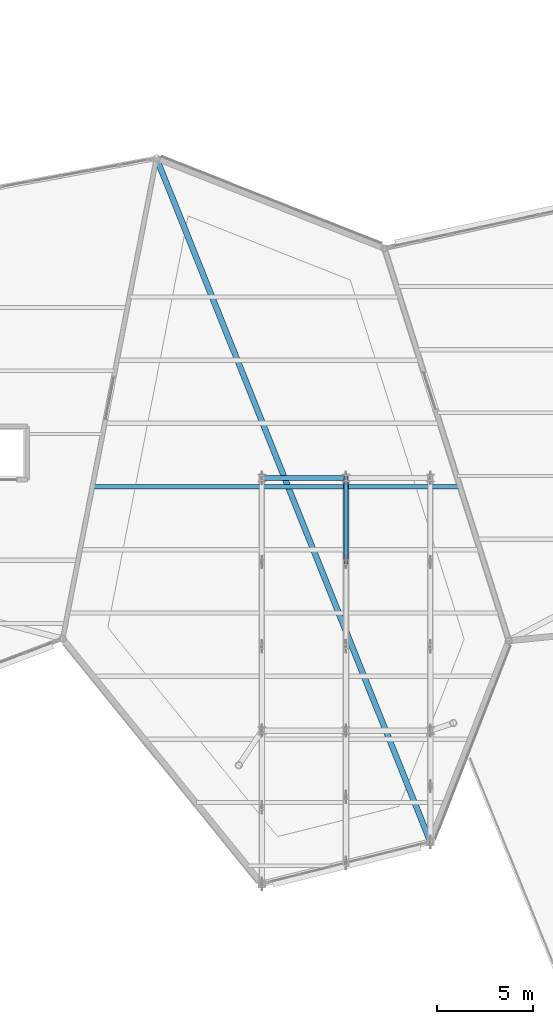
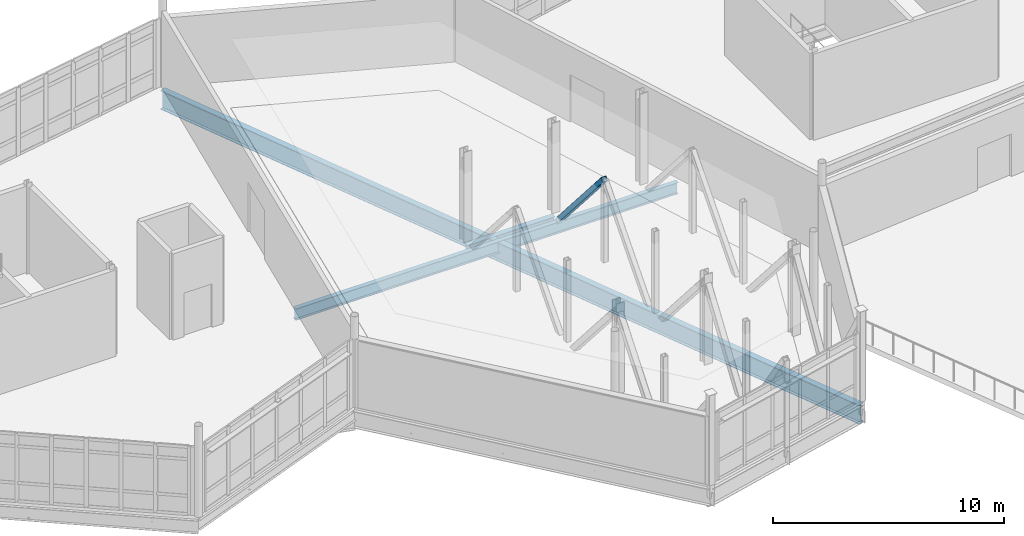
# One storey, part 57 of 114: 3 beams, 1 member.
"""IFC4 building model written with IfcOpenShell, lengths in metres."""

from ifc_helpers import new_model, si_unit, direction, frame, origin, origin_2d, place, context, subcontext, project, spatial, hollow_rectangle, i_section, extrude, material, material_profile, profile_set, type_object, element, save


model = new_model("IFC4")

# Units and contexts
model_context = context("Model", 3, precision=1e-05, world=origin(), true_north=direction((0.0, 1.0)))
body_context = subcontext(model_context, "Body", "Model", "MODEL_VIEW")
ifc_project = project(units=[si_unit("LENGTHUNIT", "METRE"), si_unit("AREAUNIT", "SQUARE_METRE"), si_unit("VOLUMEUNIT", "CUBIC_METRE"), si_unit("PLANEANGLEUNIT", "RADIAN"), si_unit("MASSUNIT", "GRAM", prefix="KILO")], contexts=[model_context])

# Site, building, storey
site_placement = place(None, origin())
site = spatial("IfcSite", under=ifc_project, at=site_placement, CompositionType="ELEMENT")
building_placement = place(site_placement, origin())
building = spatial("IfcBuilding", under=site, at=building_placement, Name="Tameran Prism Museum", CompositionType="ELEMENT")
storey_placement = place(building_placement, frame((0.0, 0.0, 10.199951171875)))
storey = spatial("IfcBuildingStorey", under=building, at=storey_placement, Name="L02", CompositionType="ELEMENT", Elevation=10.199951171875)

# Beams
ifc_material_1 = material(Name="Steel Grade 300PLUS (300 MPa)", Category="steel")
ifc_material_profile_1 = material_profile(ifc_material_1, i_section(OverallWidth=0.22802734375, OverallDepth=0.60693359375, WebThickness=0.01123046875, FlangeThickness=0.017333984375, FilletRadius=0.013916015625, at=origin_2d()))
ifc_profile_set_1 = profile_set([ifc_material_profile_1])
beam_type_1 = type_object("IfcBeamType", Name="BM-UB610B", PredefinedType="BEAM", material=ifc_profile_set_1)
beam_1_placement = place(storey_placement, frame((122.29296875, 30.25, -0.5234375), z_axis=(1.0, 0.0, 0.0), x_axis=(0.0, 1.0, 0.0)))
element("IfcBeam", 1, at=beam_1_placement, inside=storey, type_object=beam_type_1, Name="Floor Beam BM-0887", PredefinedType="BEAM", context=body_context, shape_type="SweptSolid", body=[
    extrude(i_section(OverallWidth=0.22802734375, OverallDepth=0.60693359375, WebThickness=0.01123046875, FlangeThickness=0.017333984375, FilletRadius=0.013916015625, at=origin_2d()), origin(), (0.0, 0.0, 1.0), 19.113037109375),
])
ifc_material_2 = material(Name="Steel Grade 350 (350 MPa)", Category="steel")
ifc_material_profile_2 = material_profile(ifc_material_2, i_section(OverallWidth=0.300048828125, OverallDepth=1.0, WebThickness=0.01611328125, FlangeThickness=0.031982421875, at=origin_2d()))
ifc_profile_set_2 = profile_set([ifc_material_profile_2])
beam_type_2 = type_object("IfcBeamType", Name="BM-WB1000", PredefinedType="BEAM", material=ifc_profile_set_2)
beam_2_placement = place(storey_placement, frame((139.89990234375, 11.699951171875, -0.719970703125), z_axis=(-0.371835017673, 0.928298830998, 0.0), x_axis=(-0.928298830998, -0.371835017673, 0.0)))
element("IfcBeam", 2, at=beam_2_placement, inside=storey, type_object=beam_type_2, Name="Primary Vertex Girder PG-0704", PredefinedType="BEAM", context=body_context, shape_type="SweptSolid", body=[
    extrude(i_section(OverallWidth=0.300048828125, OverallDepth=1.0, WebThickness=0.01611328125, FlangeThickness=0.031982421875, at=origin_2d()), origin(), (0.0, 0.0, 1.0), 38.457275390625),
])
ifc_material_3 = material(Name="Steel Grade 350 (350 MPa)", Category="steel")
ifc_material_profile_3 = material_profile(ifc_material_3, i_section(OverallWidth=0.27490234375, OverallDepth=0.800048828125, WebThickness=0.011962890625, FlangeThickness=0.02490234375, at=origin_2d()))
ifc_profile_set_3 = profile_set([ifc_material_profile_3])
beam_type_3 = type_object("IfcBeamType", Name="BM-WB800", PredefinedType="BEAM", material=ifc_profile_set_3)
beam_3_placement = place(storey_placement, frame((131.10009765625, 30.699951171875, -0.619873046875), z_axis=(1.0, 0.0, 0.0), x_axis=(0.0, 1.0, 0.0)))
element("IfcBeam", 3, at=beam_3_placement, inside=storey, type_object=beam_type_3, Name="Frame Tie Girder FG-1373", PredefinedType="BEAM", context=body_context, shape_type="SweptSolid", body=[
    extrude(i_section(OverallWidth=0.27490234375, OverallDepth=0.800048828125, WebThickness=0.011962890625, FlangeThickness=0.02490234375, at=origin_2d()), origin(), (0.0, 0.0, 1.0), 4.39990234375),
])

# Member
ifc_material_4 = material(Name="Steel Grade C450L0 (450 MPa)", Category="steel")
ifc_material_profile_4 = material_profile(ifc_material_4, hollow_rectangle(XDim=0.25, YDim=0.25, WallThickness=0.010009765625, InnerFilletRadius=0.014892578125, OuterFilletRadius=0.02490234375, at=origin_2d()))
ifc_profile_set_4 = profile_set([ifc_material_profile_4])
member_type = type_object("IfcMemberType", Name="MM-BR-SHS250", PredefinedType="BRACE", material=ifc_profile_set_4)
member_placement = place(storey_placement, frame((135.5, 30.699951171875, -0.719970703125), z_axis=(0.0, -0.655427459392, 0.755258131684), x_axis=(1.0, 0.0, 0.0)))
element("IfcMember", 4, at=member_placement, inside=storey, type_object=member_type, Name="Transfer Truss Web TTW-014", PredefinedType="BRACE", context=body_context, shape_type="SweptSolid", body=[
    extrude(hollow_rectangle(XDim=0.25, YDim=0.25, WallThickness=0.010009765625, InnerFilletRadius=0.014892578125, OuterFilletRadius=0.02490234375, at=origin_2d()), origin(), (0.0, 0.0, 1.0), 6.713134765625),
])

save(model, "model.ifc")
